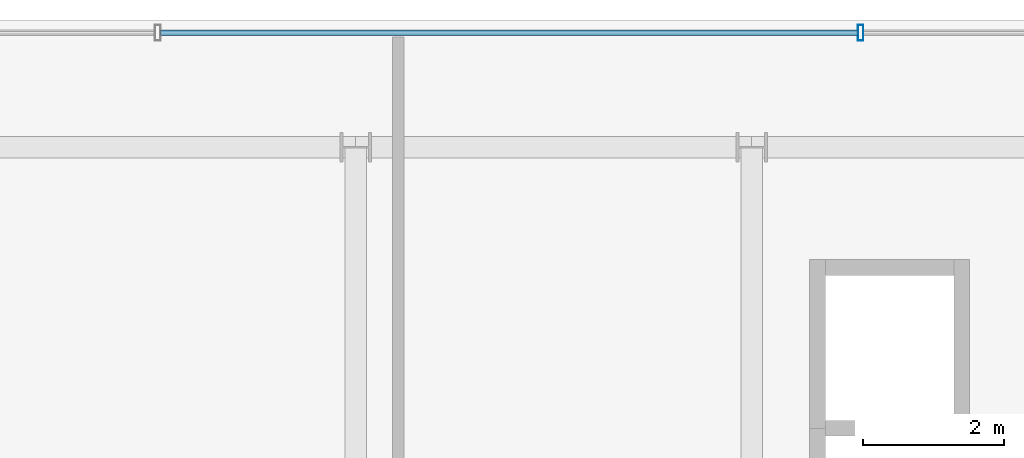
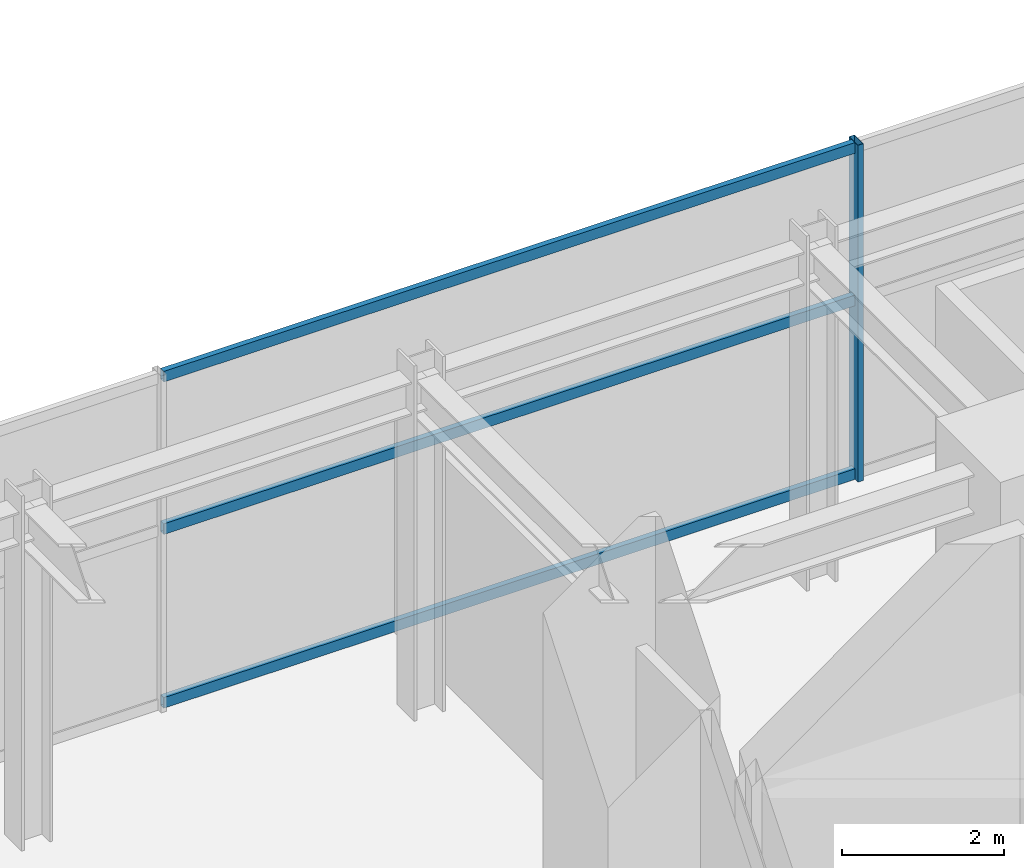
# One storey, part 18 of 34: 4 members, 1 element without a shape of its own.
"""IFC4 building model written with IfcOpenShell, lengths in metres."""

from ifc_helpers import new_model, si_unit, direction, frame, origin, origin_2d, place, context, subcontext, project, spatial, hollow_rectangle, extrude, source, transform, mapped, material, material_profile, profile_set, type_object, element, aggregate, save


model = new_model("IFC4")

# Units and contexts
model_context = context("Model", 3, precision=1e-05, world=origin(), true_north=direction((0.0, 1.0)))
body_context = subcontext(model_context, "Body", "Model", "MODEL_VIEW")
ifc_project = project(units=[si_unit("LENGTHUNIT", "METRE"), si_unit("AREAUNIT", "SQUARE_METRE"), si_unit("VOLUMEUNIT", "CUBIC_METRE"), si_unit("PLANEANGLEUNIT", "RADIAN"), si_unit("MASSUNIT", "GRAM", prefix="KILO")], contexts=[model_context])

# Site, building, storey
site_placement = place(None, origin())
site = spatial("IfcSite", under=ifc_project, at=site_placement, CompositionType="ELEMENT")
building_placement = place(site_placement, origin())
building = spatial("IfcBuilding", under=site, at=building_placement, Name="Nahalor Promenade Grand Hotel", CompositionType="ELEMENT")
storey_placement = place(building_placement, frame((0.0, 0.0, 16.199951171875)))
storey = spatial("IfcBuildingStorey", under=building, at=storey_placement, Name="L03", CompositionType="ELEMENT", Elevation=16.199951171875)

# Curtain wall, members
ifc_material = material(Name="Anodised Bronze Aluminium EN AW-6063 T6", Category="aluminium")
curtain_wall_type = type_object("IfcCurtainWallType", Name="CW1 Waterfront Podium Bronze Arcade Curtain Wall", PredefinedType="USERDEFINED", material=ifc_material)
curtain_wall_placement = place(storey_placement, origin())
curtain_wall = element("IfcCurtainWall", 1, at=curtain_wall_placement, inside=storey, type_object=curtain_wall_type, Name="L03 Curtain Wall CW-L03-N", ObjectType="UNITISED_CURTAIN_WALL", PredefinedType="USERDEFINED")
ifc_material_profile_1 = material_profile(ifc_material, hollow_rectangle(XDim=0.08, YDim=0.22, WallThickness=0.005, at=origin_2d()), Name="CWM 80x220x5")
ifc_profile_set_1 = profile_set([ifc_material_profile_1], Name="Anodised Bronze Aluminium EN AW-6063 T6")
member_type_1 = type_object("IfcMemberType", Name="CWM1 Podium Bronze Mullion 80x220", PredefinedType="MULLION", material=ifc_profile_set_1)
shared_shape_1 = source(origin(), body_context, "Body", "SweptSolid", [
    extrude(hollow_rectangle(XDim=0.08, YDim=0.22, WallThickness=0.005, at=origin_2d()), origin(), (0.0, 0.0, 1.0), 5.080078125),
])
member_1_placement = place(storey_placement, frame((9.93994140625, 23.820068359375, 0.0), z_axis=(0.0, 0.0, 1.0), x_axis=(1.0, 0.0, 0.0)))
member_1 = element("IfcMember", 2, at=member_1_placement, type_object=member_type_1, Name="CW-L03-N Mullion 4", PredefinedType="MULLION", context=body_context, shape_type="MappedRepresentation", body=[
    mapped(shared_shape_1, transform((0.0, 0.0, 0.0), scale=1.0)),
])
ifc_material_profile_2 = material_profile(ifc_material, hollow_rectangle(XDim=0.08, YDim=0.16, WallThickness=0.004, at=origin_2d()), Name="CWT 80x160x4")
ifc_profile_set_2 = profile_set([ifc_material_profile_2], Name="Anodised Bronze Aluminium EN AW-6063 T6")
member_type_2 = type_object("IfcMemberType", Name="CWT1 Podium Bronze Transom 80x160", PredefinedType="USERDEFINED", material=ifc_profile_set_2)
shared_shape_2 = source(origin(), body_context, "Body", "SweptSolid", [
    extrude(hollow_rectangle(XDim=0.08, YDim=0.16, WallThickness=0.004, at=origin_2d()), origin(), (0.0, 0.0, 1.0), 9.85986328125),
])
member_2_placement = place(storey_placement, frame((0.0400390625, 23.820068359375, 0.080078125), z_axis=(1.0, 0.0, 0.0), x_axis=(0.0, 1.0, 0.0)))
member_2 = element("IfcMember", 3, at=member_2_placement, type_object=member_type_2, Name="CW-L03-N Transom 3-0", ObjectType="TRANSOM", PredefinedType="USERDEFINED", context=body_context, shape_type="MappedRepresentation", body=[
    mapped(shared_shape_2, transform((0.0, 0.0, 0.0), scale=1.0)),
])
member_3_placement = place(storey_placement, frame((0.0400390625, 23.820068359375, 2.699951171875), z_axis=(1.0, 0.0, 0.0), x_axis=(0.0, 1.0, 0.0)))
member_3 = element("IfcMember", 4, at=member_3_placement, type_object=member_type_2, Name="CW-L03-N Transom 3-1", ObjectType="TRANSOM", PredefinedType="USERDEFINED", context=body_context, shape_type="MappedRepresentation", body=[
    mapped(shared_shape_2, transform((0.0, 0.0, 0.0), scale=1.0)),
])
member_4_placement = place(storey_placement, frame((0.0400390625, 23.820068359375, 5.0), z_axis=(1.0, 0.0, 0.0), x_axis=(0.0, 1.0, 0.0)))
member_4 = element("IfcMember", 5, at=member_4_placement, type_object=member_type_2, Name="CW-L03-N Transom 3-2", ObjectType="TRANSOM", PredefinedType="USERDEFINED", context=body_context, shape_type="MappedRepresentation", body=[
    mapped(shared_shape_2, transform((0.0, 0.0, 0.0), scale=1.0)),
])
aggregate(curtain_wall, [member_1, member_2, member_3, member_4])

save(model, "model.ifc")
